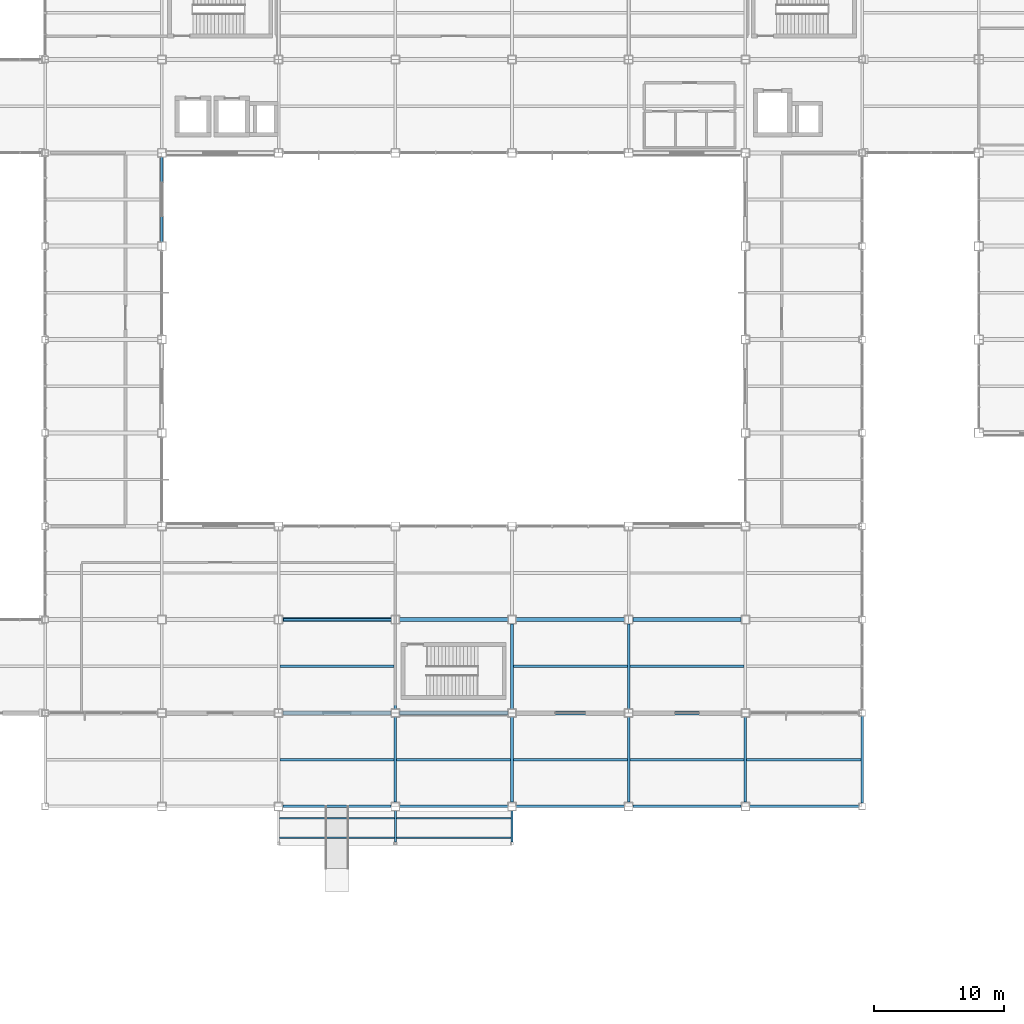
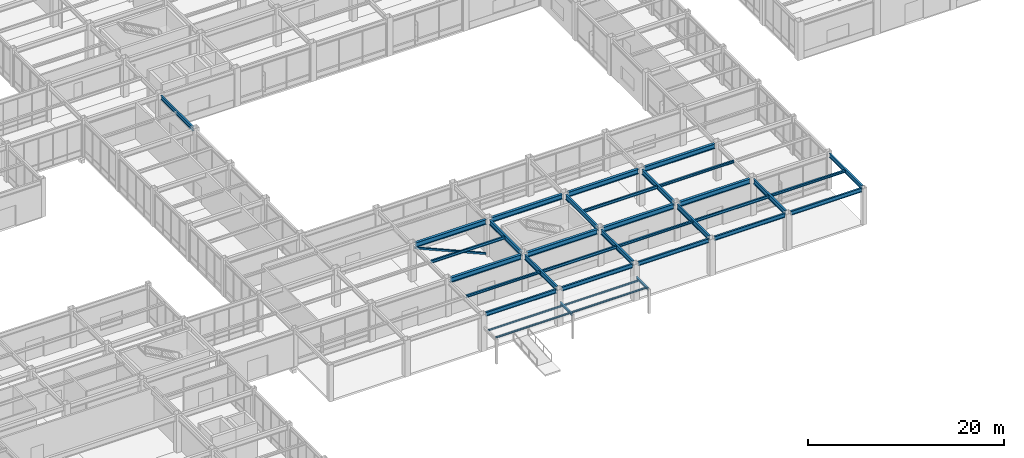
# One storey, part 35 of 112: 32 beams, 5 members.
"""IFC4 building model written with IfcOpenShell, lengths in metres."""

from ifc_helpers import new_model, si_unit, direction, frame, origin, origin_2d, place, context, subcontext, project, spatial, hollow_rectangle, i_section, extrude, material, material_profile, profile_set, type_object, element, save


model = new_model("IFC4")

# Units and contexts
model_context = context("Model", 3, precision=1e-05, world=origin(), true_north=direction((0.0, 1.0)))
body_context = subcontext(model_context, "Body", "Model", "MODEL_VIEW")
ifc_project = project(units=[si_unit("LENGTHUNIT", "METRE"), si_unit("AREAUNIT", "SQUARE_METRE"), si_unit("VOLUMEUNIT", "CUBIC_METRE"), si_unit("PLANEANGLEUNIT", "RADIAN"), si_unit("MASSUNIT", "GRAM", prefix="KILO")], contexts=[model_context])

# Site, building, storey
site_placement = place(None, origin())
site = spatial("IfcSite", under=ifc_project, at=site_placement, CompositionType="ELEMENT")
building_placement = place(site_placement, origin())
building = spatial("IfcBuilding", under=site, at=building_placement, Name="Kazanami Central Library", CompositionType="ELEMENT")
storey_placement = place(building_placement, origin())
storey = spatial("IfcBuildingStorey", under=building, at=storey_placement, Name="L01", CompositionType="ELEMENT", Elevation=0.0)

# Beams
ifc_material_1 = material(Name="Steel SN400B (235 MPa)", Category="steel")
ifc_material_profile_1 = material_profile(ifc_material_1, i_section(OverallWidth=0.175048828125, OverallDepth=0.35009765625, WebThickness=0.007080078125, FlangeThickness=0.010986328125, at=origin_2d()), Name="H-350x175x7x11")
ifc_profile_set_1 = profile_set([ifc_material_profile_1], Name="Steel SN400B (235 MPa)")
beam_type_1 = type_object("IfcBeamType", Name="BM-B-S2", PredefinedType="JOIST", material=ifc_profile_set_1)
for number, where, z_axis, x_axis, name in (
    (1, (63.097900390625, 25.199951171875, 4.3798828125), (1.0, 0.0, 0.0), (0.0, 1.0, 0.0), "Composite Secondary Joist B-S2 L01 Bay 8/D.1"),
    (2, (72.097900390625, 18.0, 4.405029296875), (1.0, 0.0, 0.0), (0.0, 1.0, 0.0), "Composite Secondary Joist B-S2 L01 Bay 9/C.1"),
    (3, (81.097900390625, 25.199951171875, 4.3798828125), (1.0, 0.0, 0.0), (0.0, 1.0, 0.0), "Composite Secondary Joist B-S2 L01 Bay 10/D.1"),
    (4, (90.097900390625, 18.0, 4.405029296875), (1.0, 0.0, 0.0), (0.0, 1.0, 0.0), "Composite Secondary Joist B-S2 L01 Bay 11/C.1"),
):
    element("IfcBeam", number, at=place(storey_placement, frame(where, z_axis=z_axis, x_axis=x_axis)), inside=storey, type_object=beam_type_1, Name=name, PredefinedType="JOIST", context=body_context, shape_type="SweptSolid", body=[
        extrude(i_section(OverallWidth=0.175048828125, OverallDepth=0.35009765625, WebThickness=0.007080078125, FlangeThickness=0.010986328125, at=origin_2d()), origin(), (0.0, 0.0, 1.0), 8.80419921875),
    ])
ifc_material_profile_2 = material_profile(ifc_material_1, i_section(OverallWidth=0.199951171875, OverallDepth=0.2939453125, WebThickness=0.008056640625, FlangeThickness=0.011962890625, at=origin_2d()), Name="H-294x200x8x12")
ifc_profile_set_2 = profile_set([ifc_material_profile_2], Name="Steel SN400B (235 MPa)")
beam_type_2 = type_object("IfcBeamType", Name="BM-B-S5", PredefinedType="JOIST", material=ifc_profile_set_2)
for number, where, z_axis, x_axis, name in (
    (5, (63.097900390625, 18.0, 4.43310546875), (1.0, 0.0, 0.0), (0.0, 1.0, 0.0), "Composite Secondary Joist B-S5 L01 Bay 8/C.1"),
    (6, (81.097900390625, 18.0, 4.43310546875), (1.0, 0.0, 0.0), (0.0, 1.0, 0.0), "Composite Secondary Joist B-S5 L01 Bay 10/C.1"),
    (7, (90.097900390625, 25.199951171875, 4.407958984375), (1.0, 0.0, 0.0), (0.0, 1.0, 0.0), "Composite Secondary Joist B-S5 L01 Bay 11/D.1"),
    (8, (99.097900390625, 18.0, 4.43310546875), (1.0, 0.0, 0.0), (0.0, 1.0, 0.0), "Composite Secondary Joist B-S5 L01 Bay 12/C.1"),
):
    element("IfcBeam", number, at=place(storey_placement, frame(where, z_axis=z_axis, x_axis=x_axis)), inside=storey, type_object=beam_type_2, Name=name, PredefinedType="JOIST", context=body_context, shape_type="SweptSolid", body=[
        extrude(i_section(OverallWidth=0.199951171875, OverallDepth=0.2939453125, WebThickness=0.008056640625, FlangeThickness=0.011962890625, at=origin_2d()), origin(), (0.0, 0.0, 1.0), 8.80419921875),
    ])
ifc_material_2 = material(Name="Steel SN490B (325 MPa)", Category="steel")
ifc_material_profile_3 = material_profile(ifc_material_2, i_section(OverallWidth=0.14990234375, OverallDepth=0.300048828125, WebThickness=0.006591796875, FlangeThickness=0.009033203125, at=origin_2d()), Name="H-300x150x6.5x9")
ifc_profile_set_3 = profile_set([ifc_material_profile_3], Name="Steel SN490B (325 MPa)")
beam_type_3 = type_object("IfcBeamType", Name="BM-CAN-300", PredefinedType="SPANDREL", material=ifc_profile_set_3)
for number, where, z_axis, x_axis, name in (
    (9, (72.0, 14.074951171875, 2.89990234375), (0.0, -1.0, 0.0), (1.0, 0.0, 0.0), "Canopy Beam CAN-V1-SOUTH X=72"),
    (10, (81.0, 14.074951171875, 2.89990234375), (0.0, -1.0, 0.0), (1.0, 0.0, 0.0), "Canopy Beam CAN-V1-SOUTH X=81"),
):
    element("IfcBeam", number, at=place(storey_placement, frame(where, z_axis=z_axis, x_axis=x_axis)), inside=storey, type_object=beam_type_3, Name=name, PredefinedType="SPANDREL", context=body_context, shape_type="SweptSolid", body=[
        extrude(i_section(OverallWidth=0.14990234375, OverallDepth=0.300048828125, WebThickness=0.006591796875, FlangeThickness=0.009033203125, at=origin_2d()), origin(), (0.0, 0.0, 1.0), 2.425048828125),
    ])
ifc_material_profile_4 = material_profile(ifc_material_2, i_section(OverallWidth=0.300048828125, OverallDepth=0.60009765625, WebThickness=0.011962890625, FlangeThickness=0.02001953125, at=origin_2d()), Name="H-600x300x12x20")
ifc_profile_set_4 = profile_set([ifc_material_profile_4], Name="Steel SN490B (325 MPa)")
beam_type_4 = type_object("IfcBeamType", Name="BM-G-X1", PredefinedType="BEAM", material=ifc_profile_set_4)
for number, where, z_axis, x_axis, name in (
    (11, (63.322998046875, 21.60009765625, 4.2548828125), (1.0, 0.0, 0.0), (0.0, 1.0, 0.0), "Girder G-X1 L01 D/8-9"),
    (12, (72.322998046875, 21.60009765625, 4.2548828125), (1.0, 0.0, 0.0), (0.0, 1.0, 0.0), "Girder G-X1 L01 D/9-10"),
    (13, (81.322998046875, 21.60009765625, 4.2548828125), (1.0, 0.0, 0.0), (0.0, 1.0, 0.0), "Girder G-X1 L01 D/10-11"),
    (14, (90.322998046875, 21.60009765625, 4.2548828125), (1.0, 0.0, 0.0), (0.0, 1.0, 0.0), "Girder G-X1 L01 D/11-12"),
    (15, (63.322998046875, 28.800048828125, 4.2548828125), (1.0, 0.0, 0.0), (0.0, 1.0, 0.0), "Girder G-X1 L01 E/8-9"),
    (16, (72.322998046875, 28.800048828125, 4.2548828125), (1.0, 0.0, 0.0), (0.0, 1.0, 0.0), "Girder G-X1 L01 E/9-10"),
    (17, (81.322998046875, 28.800048828125, 4.2548828125), (1.0, 0.0, 0.0), (0.0, 1.0, 0.0), "Girder G-X1 L01 E/10-11"),
    (18, (90.322998046875, 28.800048828125, 4.2548828125), (1.0, 0.0, 0.0), (0.0, 1.0, 0.0), "Girder G-X1 L01 E/11-12"),
):
    element("IfcBeam", number, at=place(storey_placement, frame(where, z_axis=z_axis, x_axis=x_axis)), inside=storey, type_object=beam_type_4, Name=name, PredefinedType="BEAM", context=body_context, shape_type="SweptSolid", body=[
        extrude(i_section(OverallWidth=0.300048828125, OverallDepth=0.60009765625, WebThickness=0.011962890625, FlangeThickness=0.02001953125, at=origin_2d()), origin(), (0.0, 0.0, 1.0), 8.35400390625),
    ])
ifc_material_profile_5 = material_profile(ifc_material_2, i_section(OverallWidth=0.199951171875, OverallDepth=0.60009765625, WebThickness=0.010986328125, FlangeThickness=0.01708984375, at=origin_2d()), Name="H-600x200x11x17")
ifc_profile_set_5 = profile_set([ifc_material_profile_5], Name="Steel SN490B (325 MPa)")
beam_type_5 = type_object("IfcBeamType", Name="BM-G-Y1", PredefinedType="BEAM", material=ifc_profile_set_5)
beam_1_placement = place(storey_placement, frame((72.0, 14.722900390625, 4.280029296875), z_axis=(0.0, 1.0, 0.0), x_axis=(-1.0, 0.0, 0.0)))
element("IfcBeam", 19, at=beam_1_placement, inside=storey, type_object=beam_type_5, Name="Girder G-Y1 L01 9/C-D", PredefinedType="BEAM", context=body_context, shape_type="SweptSolid", body=[
    extrude(i_section(OverallWidth=0.199951171875, OverallDepth=0.60009765625, WebThickness=0.010986328125, FlangeThickness=0.01708984375, at=origin_2d()), origin(), (0.0, 0.0, 1.0), 6.55419921875),
])
beam_2_placement = place(storey_placement, frame((72.0, 21.923095703125, 4.2548828125), z_axis=(0.0, 1.0, 0.0), x_axis=(-1.0, 0.0, 0.0)))
element("IfcBeam", 20, at=beam_2_placement, inside=storey, type_object=beam_type_5, Name="Girder G-Y1 L01 9/D-E", PredefinedType="BEAM", context=body_context, shape_type="SweptSolid", body=[
    extrude(i_section(OverallWidth=0.199951171875, OverallDepth=0.60009765625, WebThickness=0.010986328125, FlangeThickness=0.01708984375, at=origin_2d()), origin(), (0.0, 0.0, 1.0), 6.553955078125),
])
beam_3_placement = place(storey_placement, frame((81.0, 14.722900390625, 4.280029296875), z_axis=(0.0, 1.0, 0.0), x_axis=(-1.0, 0.0, 0.0)))
element("IfcBeam", 21, at=beam_3_placement, inside=storey, type_object=beam_type_5, Name="Girder G-Y1 L01 10/C-D", PredefinedType="BEAM", context=body_context, shape_type="SweptSolid", body=[
    extrude(i_section(OverallWidth=0.199951171875, OverallDepth=0.60009765625, WebThickness=0.010986328125, FlangeThickness=0.01708984375, at=origin_2d()), origin(), (0.0, 0.0, 1.0), 6.55419921875),
])
beam_4_placement = place(storey_placement, frame((81.0, 21.923095703125, 4.2548828125), z_axis=(0.0, 1.0, 0.0), x_axis=(-1.0, 0.0, 0.0)))
element("IfcBeam", 22, at=beam_4_placement, inside=storey, type_object=beam_type_5, Name="Girder G-Y1 L01 10/D-E", PredefinedType="BEAM", context=body_context, shape_type="SweptSolid", body=[
    extrude(i_section(OverallWidth=0.199951171875, OverallDepth=0.60009765625, WebThickness=0.010986328125, FlangeThickness=0.01708984375, at=origin_2d()), origin(), (0.0, 0.0, 1.0), 6.553955078125),
])
beam_5_placement = place(storey_placement, frame((90.0, 14.722900390625, 4.280029296875), z_axis=(0.0, 1.0, 0.0), x_axis=(-1.0, 0.0, 0.0)))
element("IfcBeam", 23, at=beam_5_placement, inside=storey, type_object=beam_type_5, Name="Girder G-Y1 L01 11/C-D", PredefinedType="BEAM", context=body_context, shape_type="SweptSolid", body=[
    extrude(i_section(OverallWidth=0.199951171875, OverallDepth=0.60009765625, WebThickness=0.010986328125, FlangeThickness=0.01708984375, at=origin_2d()), origin(), (0.0, 0.0, 1.0), 6.55419921875),
])
beam_6_placement = place(storey_placement, frame((90.0, 21.923095703125, 4.2548828125), z_axis=(0.0, 1.0, 0.0), x_axis=(-1.0, 0.0, 0.0)))
element("IfcBeam", 24, at=beam_6_placement, inside=storey, type_object=beam_type_5, Name="Girder G-Y1 L01 11/D-E", PredefinedType="BEAM", context=body_context, shape_type="SweptSolid", body=[
    extrude(i_section(OverallWidth=0.199951171875, OverallDepth=0.60009765625, WebThickness=0.010986328125, FlangeThickness=0.01708984375, at=origin_2d()), origin(), (0.0, 0.0, 1.0), 6.553955078125),
])
beam_7_placement = place(storey_placement, frame((99.0, 14.722900390625, 4.280029296875), z_axis=(0.0, 1.0, 0.0), x_axis=(-1.0, 0.0, 0.0)))
element("IfcBeam", 25, at=beam_7_placement, inside=storey, type_object=beam_type_5, Name="Girder G-Y1 L01 12/C-D", PredefinedType="BEAM", context=body_context, shape_type="SweptSolid", body=[
    extrude(i_section(OverallWidth=0.199951171875, OverallDepth=0.60009765625, WebThickness=0.010986328125, FlangeThickness=0.01708984375, at=origin_2d()), origin(), (0.0, 0.0, 1.0), 6.55419921875),
])
ifc_material_profile_6 = material_profile(ifc_material_2, i_section(OverallWidth=0.199951171875, OverallDepth=0.5, WebThickness=0.010009765625, FlangeThickness=0.01611328125, at=origin_2d()), Name="H-500x200x10x16")
ifc_profile_set_6 = profile_set([ifc_material_profile_6], Name="Steel SN490B (325 MPa)")
beam_type_6 = type_object("IfcBeamType", Name="BM-SP-1", PredefinedType="SPANDREL", material=ifc_profile_set_6)
for number, where, z_axis, x_axis, name in (
    (26, (63.322998046875, 14.39990234375, 4.330078125), (1.0, 0.0, 0.0), (0.0, 1.0, 0.0), "Girder SP-1 L01 C/8-9"),
    (27, (72.322998046875, 14.39990234375, 4.330078125), (1.0, 0.0, 0.0), (0.0, 1.0, 0.0), "Girder SP-1 L01 C/9-10"),
    (28, (81.322998046875, 14.39990234375, 4.330078125), (1.0, 0.0, 0.0), (0.0, 1.0, 0.0), "Girder SP-1 L01 C/10-11"),
    (29, (90.322998046875, 14.39990234375, 4.330078125), (1.0, 0.0, 0.0), (0.0, 1.0, 0.0), "Girder SP-1 L01 C/11-12"),
):
    element("IfcBeam", number, at=place(storey_placement, frame(where, z_axis=z_axis, x_axis=x_axis)), inside=storey, type_object=beam_type_6, Name=name, PredefinedType="SPANDREL", context=body_context, shape_type="SweptSolid", body=[
        extrude(i_section(OverallWidth=0.199951171875, OverallDepth=0.5, WebThickness=0.010009765625, FlangeThickness=0.01611328125, at=origin_2d()), origin(), (0.0, 0.0, 1.0), 8.35400390625),
    ])
beam_8_placement = place(storey_placement, frame((99.322998046875, 14.39990234375, 4.330078125), z_axis=(1.0, 0.0, 0.0), x_axis=(0.0, 1.0, 0.0)))
element("IfcBeam", 30, at=beam_8_placement, inside=storey, type_object=beam_type_6, Name="Girder SP-1 L01 C/12-13", PredefinedType="SPANDREL", context=body_context, shape_type="SweptSolid", body=[
    extrude(i_section(OverallWidth=0.199951171875, OverallDepth=0.5, WebThickness=0.010009765625, FlangeThickness=0.01611328125, at=origin_2d()), origin(), (0.0, 0.0, 1.0), 8.428955078125),
])
beam_9_placement = place(storey_placement, frame((54.0, 57.923095703125, 4.304931640625), z_axis=(0.0, 1.0, 0.0), x_axis=(-1.0, 0.0, 0.0)))
element("IfcBeam", 31, at=beam_9_placement, inside=storey, type_object=beam_type_6, Name="Girder SP-1 L01 7/J-K", PredefinedType="SPANDREL", context=body_context, shape_type="SweptSolid", body=[
    extrude(i_section(OverallWidth=0.199951171875, OverallDepth=0.5, WebThickness=0.010009765625, FlangeThickness=0.01611328125, at=origin_2d()), origin(), (0.0, 0.0, 1.0), 6.553955078125),
])
beam_10_placement = place(storey_placement, frame((108.0, 14.64794921875, 4.330078125), z_axis=(0.0, 1.0, 0.0), x_axis=(-1.0, 0.0, 0.0)))
element("IfcBeam", 32, at=beam_10_placement, inside=storey, type_object=beam_type_6, Name="Girder SP-1 L01 13/C-D", PredefinedType="SPANDREL", context=body_context, shape_type="SweptSolid", body=[
    extrude(i_section(OverallWidth=0.199951171875, OverallDepth=0.5, WebThickness=0.010009765625, FlangeThickness=0.01611328125, at=origin_2d()), origin(), (0.0, 0.0, 1.0), 6.7041015625),
])

# Members
ifc_material_3 = material(Name="Steel STK490 (315 MPa)", Category="steel")
ifc_material_profile_7 = material_profile(ifc_material_3, hollow_rectangle(XDim=0.199951171875, YDim=0.199951171875, WallThickness=0.009033203125, at=origin_2d()), Name="STKR-200x200x9")
ifc_profile_set_7 = profile_set([ifc_material_profile_7], Name="Steel STK490 (315 MPa)")
member_type_1 = type_object("IfcMemberType", Name="MEM-BR-08", PredefinedType="BRACE", material=ifc_profile_set_7)
member_placement = place(storey_placement, frame((71.675048828125, 28.800048828125, 0.25), z_axis=(-0.917289932596, 0.0, 0.39822001401), x_axis=(0.0, -1.0, 0.0)))
element("IfcMember", 33, at=member_placement, inside=storey, type_object=member_type_1, Name="Concentric Steel Brace BR-08 L01 BF-V1C", PredefinedType="BRACE", context=body_context, shape_type="SweptSolid", body=[
    extrude(hollow_rectangle(XDim=0.199951171875, YDim=0.199951171875, WallThickness=0.009033203125, at=origin_2d()), origin(), (0.0, 0.0, 1.0), 9.10302734375),
])
ifc_material_profile_8 = material_profile(ifc_material_1, i_section(OverallWidth=0.10009765625, OverallDepth=0.199951171875, WebThickness=0.005615234375, FlangeThickness=0.008056640625, at=origin_2d()), Name="H-200x100x5.5x8")
ifc_profile_set_8 = profile_set([ifc_material_profile_8], Name="Steel SN400B (235 MPa)")
member_type_2 = type_object("IfcMemberType", Name="MEM-PUR-200", PredefinedType="PURLIN", material=ifc_profile_set_8)
for number, where, z_axis, x_axis, name in (
    (34, (63.074951171875, 11.97509765625, 2.949951171875), (1.0, 0.0, 0.0), (0.0, 1.0, 0.0), "Canopy Purlin CAN-V1-SOUTH 1.1"),
    (35, (72.074951171875, 11.97509765625, 2.949951171875), (1.0, 0.0, 0.0), (0.0, 1.0, 0.0), "Canopy Purlin CAN-V1-SOUTH 1.2"),
    (36, (63.074951171875, 13.47509765625, 2.949951171875), (1.0, 0.0, 0.0), (0.0, 1.0, 0.0), "Canopy Purlin CAN-V1-SOUTH 2.1"),
    (37, (72.074951171875, 13.47509765625, 2.949951171875), (1.0, 0.0, 0.0), (0.0, 1.0, 0.0), "Canopy Purlin CAN-V1-SOUTH 2.2"),
):
    element("IfcMember", number, at=place(storey_placement, frame(where, z_axis=z_axis, x_axis=x_axis)), inside=storey, type_object=member_type_2, Name=name, PredefinedType="PURLIN", context=body_context, shape_type="SweptSolid", body=[
        extrude(i_section(OverallWidth=0.10009765625, OverallDepth=0.199951171875, WebThickness=0.005615234375, FlangeThickness=0.008056640625, at=origin_2d()), origin(), (0.0, 0.0, 1.0), 8.85009765625),
    ])

save(model, "model.ifc")
